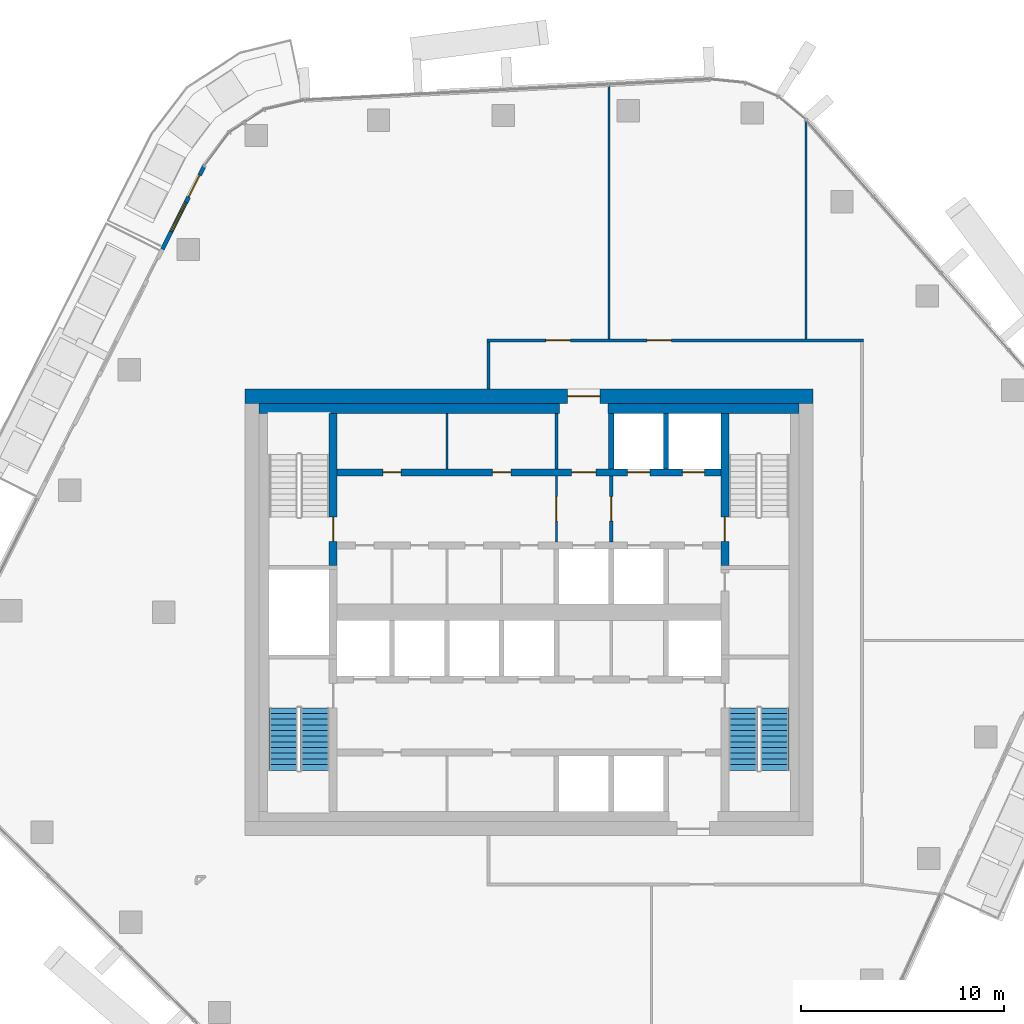
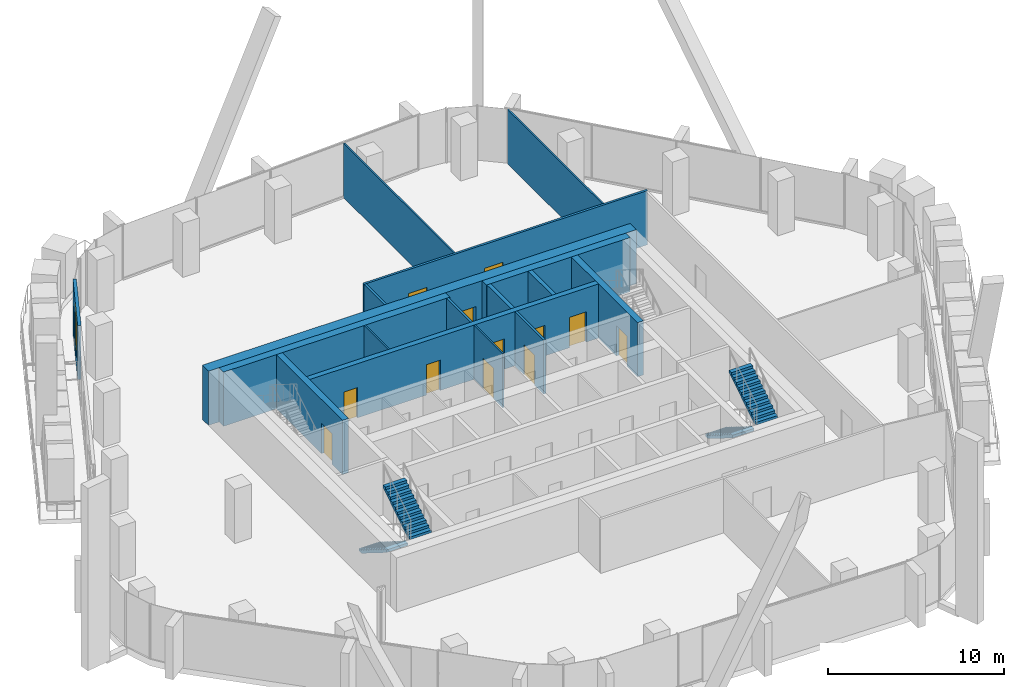
# One storey, part 12 of 20: 17 walls, 13 doors, 4 stair flights, 1 window, 14 openings, 2 elements without a shape of their own.
"""IFC4 building model written with IfcOpenShell, lengths in metres."""

from ifc_helpers import new_model, si_unit, direction, frame, frame_2d, origin, place, context, subcontext, project, spatial, polyline, rectangle, outline, extrude, material, layer, layer_set, type_object, element, fill, aggregate, save


model = new_model("IFC4")

# Units and contexts
model_context = context("Model", 3, precision=1e-05, world=origin(), true_north=direction((0.0, 1.0)))
body_context = subcontext(model_context, "Body", "Model", "MODEL_VIEW")
ifc_project = project(units=[si_unit("LENGTHUNIT", "METRE"), si_unit("AREAUNIT", "SQUARE_METRE"), si_unit("VOLUMEUNIT", "CUBIC_METRE"), si_unit("PLANEANGLEUNIT", "RADIAN"), si_unit("MASSUNIT", "GRAM", prefix="KILO")], contexts=[model_context])

# Site, building, storey
site_placement = place(None, origin())
site = spatial("IfcSite", under=ifc_project, at=site_placement, CompositionType="ELEMENT")
building_placement = place(site_placement, origin())
building = spatial("IfcBuilding", under=site, at=building_placement, Name="Dongbaek Canopy Tower", CompositionType="ELEMENT")
storey_placement = place(building_placement, frame((0.0, 0.0, 228.60009765625)))
storey = spatial("IfcBuildingStorey", under=building, at=storey_placement, Name="L47", CompositionType="ELEMENT", Elevation=228.60009765625)

# Wall, openings, doors
ifc_material_1 = material(Name="Concrete C60/75", Category="concrete")
ifc_layer_1 = layer(ifc_material_1, 0.35009765625)
ifc_layer_set_1 = layer_set([ifc_layer_1], Name="Core lobby wall 350 Concrete C60/75")
wall_type_1 = type_object("IfcWallType", Name="Core lobby wall 350 Concrete C60/75", PredefinedType="SHEAR", material=ifc_layer_set_1)
wall_1_placement = place(storey_placement, frame((-9.449951171875, 6.89990234375, 0.0), z_axis=(0.0, 0.0, 1.0), x_axis=(1.0, 0.0, 0.0)))
wall_1 = element("IfcWall", 1, at=wall_1_placement, inside=storey, type_object=wall_type_1, Name="Core wall", PredefinedType="SHEAR", context=body_context, shape_type="SweptSolid", body=[
    extrude(rectangle(XDim=18.89990234375, YDim=0.35009765625, at=frame_2d((9.449951171875, 0.0))), origin(), (0.0, 0.0, 1.0), 3.75),
])
opening_1_placement = place(wall_1_placement, frame((11.550048828125, 0.0, 0.0)))
opening_1 = element("IfcOpeningElement", 2, at=opening_1_placement, cuts=wall_1, Name="Opening L47-D008", PredefinedType="OPENING", context=body_context, shape_type="SweptSolid", body=[
    extrude(rectangle(XDim=1.199951171875, YDim=2.10009765625, at=frame_2d((0.60009765625, 1.050048828125))), frame((0.0, 0.18505859375, 0.0), z_axis=(0.0, -1.0, 0.0), x_axis=(1.0, 0.0, 0.0)), (0.0, 0.0, 1.0), 0.3701171875),
])
opening_2_placement = place(wall_1_placement, frame((14.300048828125, 0.0, 0.0)))
opening_2 = element("IfcOpeningElement", 3, at=opening_2_placement, cuts=wall_1, Name="Opening L47-D009", PredefinedType="OPENING", context=body_context, shape_type="SweptSolid", body=[
    extrude(rectangle(XDim=1.10009765625, YDim=2.10009765625, at=frame_2d((0.550048828125, 1.050048828125))), frame((0.0, 0.18505859375, 0.0), z_axis=(0.0, -1.0, 0.0), x_axis=(1.0, 0.0, 0.0)), (0.0, 0.0, 1.0), 0.3701171875),
])
opening_3_placement = place(wall_1_placement, frame((17.0, 0.0, 0.0)))
opening_3 = element("IfcOpeningElement", 4, at=opening_3_placement, cuts=wall_1, Name="Opening L47-D010", PredefinedType="OPENING", context=body_context, shape_type="SweptSolid", body=[
    extrude(rectangle(XDim=1.10009765625, YDim=2.10009765625, at=frame_2d((0.550048828125, 1.050048828125))), frame((0.0, 0.18505859375, 0.0), z_axis=(0.0, -1.0, 0.0), x_axis=(1.0, 0.0, 0.0)), (0.0, 0.0, 1.0), 0.3701171875),
])
opening_4_placement = place(wall_1_placement, frame((2.25, 0.0, 0.0)))
opening_4 = element("IfcOpeningElement", 5, at=opening_4_placement, cuts=wall_1, Name="Opening L47-D021", PredefinedType="OPENING", context=body_context, shape_type="SweptSolid", body=[
    extrude(rectangle(XDim=0.89990234375, YDim=2.10009765625, at=frame_2d((0.449951171875, 1.050048828125))), frame((0.0, 0.18505859375, 0.0), z_axis=(0.0, -1.0, 0.0), x_axis=(1.0, 0.0, 0.0)), (0.0, 0.0, 1.0), 0.3701171875),
])
opening_5_placement = place(wall_1_placement, frame((7.64990234375, 0.0, 0.0)))
opening_5 = element("IfcOpeningElement", 6, at=opening_5_placement, cuts=wall_1, Name="Opening L47-D022", PredefinedType="OPENING", context=body_context, shape_type="SweptSolid", body=[
    extrude(rectangle(XDim=0.89990234375, YDim=2.10009765625, at=frame_2d((0.449951171875, 1.050048828125))), frame((0.0, 0.18505859375, 0.0), z_axis=(0.0, -1.0, 0.0), x_axis=(1.0, 0.0, 0.0)), (0.0, 0.0, 1.0), 0.3701171875),
])
ifc_material_2 = material(Name="Steel", Category="steel")
door_type_1 = type_object("IfcDoorType", Name="Core room door 900 x 2100", OperationType="SINGLE_SWING_LEFT", PredefinedType="DOOR", material=ifc_material_2)
door_1_placement = place(opening_4_placement, origin())
door_1 = element("IfcDoor", 7, at=door_1_placement, inside=storey, type_object=door_type_1, Name="Door L47-D021", OperationType="SINGLE_SWING_RIGHT", OverallHeight=2.10009765625, OverallWidth=0.89990234375, PredefinedType="DOOR", context=body_context, shape_type="SweptSolid", body=[
    extrude(rectangle(XDim=0.89990234375, YDim=2.10009765625, at=frame_2d((0.449951171875, 1.050048828125))), frame((0.0, 0.02490234375, 0.0), z_axis=(0.0, -1.0, 0.0), x_axis=(1.0, 0.0, 0.0)), (0.0, 0.0, 1.0), 0.050048828125),
])
fill(opening_4, door_1)
door_2_placement = place(opening_5_placement, origin())
door_2 = element("IfcDoor", 8, at=door_2_placement, inside=storey, type_object=door_type_1, Name="Door L47-D022", OperationType="SINGLE_SWING_LEFT", OverallHeight=2.10009765625, OverallWidth=0.89990234375, PredefinedType="DOOR", context=body_context, shape_type="SweptSolid", body=[
    extrude(rectangle(XDim=0.89990234375, YDim=2.10009765625, at=frame_2d((0.449951171875, 1.050048828125))), frame((0.0, 0.02490234375, 0.0), z_axis=(0.0, -1.0, 0.0), x_axis=(1.0, 0.0, 0.0)), (0.0, 0.0, 1.0), 0.050048828125),
])
fill(opening_5, door_2)
ifc_material_3 = material(Name="Steel", Category="steel")
door_type_2 = type_object("IfcDoorType", Name="Fire lobby door 1200 x 2100", OperationType="SINGLE_SWING_LEFT", PredefinedType="DOOR", material=ifc_material_3)
door_3_placement = place(opening_1_placement, origin())
door_3 = element("IfcDoor", 9, at=door_3_placement, inside=storey, type_object=door_type_2, Name="Door L47-D008", OperationType="SINGLE_SWING_LEFT", OverallHeight=2.10009765625, OverallWidth=1.199951171875, PredefinedType="DOOR", context=body_context, shape_type="SweptSolid", body=[
    extrude(rectangle(XDim=1.199951171875, YDim=2.10009765625, at=frame_2d((0.60009765625, 1.050048828125))), frame((0.0, 0.02490234375, 0.0), z_axis=(0.0, -1.0, 0.0), x_axis=(1.0, 0.0, 0.0)), (0.0, 0.0, 1.0), 0.050048828125),
])
fill(opening_1, door_3)
ifc_material_4 = material(Name="Stainless steel", Category="steel")
door_type_3 = type_object("IfcDoorType", Name="Lift landing door 1100 x 2100", OperationType="DOUBLE_DOOR_SLIDING", PredefinedType="DOOR", material=ifc_material_4)
door_4_placement = place(opening_2_placement, origin())
door_4 = element("IfcDoor", 10, at=door_4_placement, inside=storey, type_object=door_type_3, Name="Landing door FF1", OperationType="DOUBLE_DOOR_SLIDING", OverallHeight=2.10009765625, OverallWidth=1.10009765625, PredefinedType="DOOR", context=body_context, shape_type="SweptSolid", body=[
    extrude(rectangle(XDim=1.10009765625, YDim=2.10009765625, at=frame_2d((0.550048828125, 1.050048828125))), frame((0.0, 0.02490234375, 0.0), z_axis=(0.0, -1.0, 0.0), x_axis=(1.0, 0.0, 0.0)), (0.0, 0.0, 1.0), 0.050048828125),
])
fill(opening_2, door_4)
door_5_placement = place(opening_3_placement, origin())
door_5 = element("IfcDoor", 11, at=door_5_placement, inside=storey, type_object=door_type_3, Name="Landing door FF2", OperationType="DOUBLE_DOOR_SLIDING", OverallHeight=2.10009765625, OverallWidth=1.10009765625, PredefinedType="DOOR", context=body_context, shape_type="SweptSolid", body=[
    extrude(rectangle(XDim=1.10009765625, YDim=2.10009765625, at=frame_2d((0.550048828125, 1.050048828125))), frame((0.0, 0.02490234375, 0.0), z_axis=(0.0, -1.0, 0.0), x_axis=(1.0, 0.0, 0.0)), (0.0, 0.0, 1.0), 0.050048828125),
])
fill(opening_3, door_5)

# Wall, opening, door
ifc_material_5 = material(Name="Concrete C70/85", Category="concrete")
ifc_layer_2 = layer(ifc_material_5, 0.699951171875)
ifc_layer_set_2 = layer_set([ifc_layer_2], Name="Core outer wall 700 Concrete C70/85")
wall_type_2 = type_object("IfcWallType", Name="Core outer wall 700 Concrete C70/85", PredefinedType="SHEAR", material=ifc_layer_set_2)
wall_2_placement = place(storey_placement, frame((-14.0, 10.64990234375, 0.0), z_axis=(0.0, 0.0, 1.0), x_axis=(1.0, 0.0, 0.0)))
wall_2 = element("IfcWall", 12, at=wall_2_placement, inside=storey, type_object=wall_type_2, Name="Core wall", PredefinedType="SHEAR", context=body_context, shape_type="SweptSolid", body=[
    extrude(rectangle(XDim=28.0, YDim=0.699951171875, at=frame_2d((14.0, 0.0))), origin(), (0.0, 0.0, 1.0), 3.75),
])
opening_6_placement = place(wall_2_placement, frame((15.89990234375, 0.0, 0.0)))
opening_6 = element("IfcOpeningElement", 13, at=opening_6_placement, cuts=wall_2, Name="Opening L47-D007", PredefinedType="OPENING", context=body_context, shape_type="SweptSolid", body=[
    extrude(rectangle(XDim=1.60009765625, YDim=2.10009765625, at=frame_2d((0.800048828125, 1.050048828125))), frame((0.0, 0.35986328125, 0.0), z_axis=(0.0, -1.0, 0.0), x_axis=(1.0, 0.0, 0.0)), (0.0, 0.0, 1.0), 0.719970703125),
])
ifc_material_6 = material(Name="Steel", Category="steel")
door_type_4 = type_object("IfcDoorType", Name="Core exit door 1600 x 2100", OperationType="DOUBLE_DOOR_SINGLE_SWING", PredefinedType="DOOR", material=ifc_material_6)
door_6_placement = place(opening_6_placement, origin())
door_6 = element("IfcDoor", 14, at=door_6_placement, inside=storey, type_object=door_type_4, Name="Core exit door", OperationType="DOUBLE_DOOR_SINGLE_SWING", OverallHeight=2.10009765625, OverallWidth=1.60009765625, PredefinedType="DOOR", context=body_context, shape_type="SweptSolid", body=[
    extrude(rectangle(XDim=1.60009765625, YDim=2.10009765625, at=frame_2d((0.800048828125, 1.050048828125))), frame((0.0, 0.02490234375, 0.0), z_axis=(0.0, -1.0, 0.0), x_axis=(1.0, 0.0, 0.0)), (0.0, 0.0, 1.0), 0.050048828125),
])
fill(opening_6, door_6)

# Walls
ifc_material_7 = material(Name="Concrete C60/75", Category="concrete")
ifc_layer_3 = layer(ifc_material_7, 0.5)
ifc_layer_set_3 = layer_set([ifc_layer_3], Name="Core wall lining 500 Concrete C60/75")
wall_type_3 = type_object("IfcWallType", Name="Core wall lining 500 Concrete C60/75", PredefinedType="SHEAR", material=ifc_layer_set_3)
wall_3_placement = place(storey_placement, frame((-13.300048828125, 10.050048828125, 0.0), z_axis=(0.0, 0.0, 1.0), x_axis=(1.0, 0.0, 0.0)))
element("IfcWall", 15, at=wall_3_placement, inside=storey, type_object=wall_type_3, Name="Core wall lining", PredefinedType="SHEAR", context=body_context, shape_type="SweptSolid", body=[
    extrude(rectangle(XDim=14.800048828125, YDim=0.5, at=frame_2d((7.39990234375, 0.0))), origin(), (0.0, 0.0, 1.0), 3.75),
])
wall_4_placement = place(storey_placement, frame((3.89990234375, 10.050048828125, 0.0), z_axis=(0.0, 0.0, 1.0), x_axis=(1.0, 0.0, 0.0)))
element("IfcWall", 16, at=wall_4_placement, inside=storey, type_object=wall_type_3, Name="Core wall lining", PredefinedType="SHEAR", context=body_context, shape_type="SweptSolid", body=[
    extrude(rectangle(XDim=9.400146484375, YDim=0.5, at=frame_2d((4.7001953125, 0.0))), origin(), (0.0, 0.0, 1.0), 3.75),
])

# Wall, openings, doors
ifc_material_8 = material(Name="Gypsum board partition, steel stud, 2 x 15 mm fire board", Category="steel")
ifc_layer_4 = layer(ifc_material_8, 0.14990234375)
ifc_layer_set_4 = layer_set([ifc_layer_4], Name="Fire-rated partition 150 gypsum board")
wall_type_4 = type_object("IfcWallType", Name="Fire-rated partition 150 gypsum board", PredefinedType="PARTITIONING", material=ifc_layer_set_4)
wall_5_placement = place(storey_placement, frame((-2.074951171875, 13.39990234375, 0.0), z_axis=(0.0, 0.0, 1.0), x_axis=(1.0, 0.0, 0.0)))
wall_5 = element("IfcWall", 17, at=wall_5_placement, inside=storey, type_object=wall_type_4, Name="Corridor partition", PredefinedType="PARTITIONING", context=body_context, shape_type="SweptSolid", body=[
    extrude(rectangle(XDim=18.550048828125, YDim=0.14990234375, at=frame_2d((9.27490234375, 0.0))), origin(), (0.0, 0.0, 1.0), 3.75),
])
opening_7_placement = place(wall_5_placement, frame((2.91015625, 0.0, 0.0)))
opening_7 = element("IfcOpeningElement", 18, at=opening_7_placement, cuts=wall_5, Name="Opening L47-D001", PredefinedType="OPENING", context=body_context, shape_type="SweptSolid", body=[
    extrude(rectangle(XDim=1.199951171875, YDim=2.10009765625, at=frame_2d((0.60009765625, 1.050048828125))), frame((0.0, 0.0849609375, 0.0), z_axis=(0.0, -1.0, 0.0), x_axis=(1.0, 0.0, 0.0)), (0.0, 0.0, 1.0), 0.169921875),
])
opening_8_placement = place(wall_5_placement, frame((7.8935546875, 0.0, 0.0)))
opening_8 = element("IfcOpeningElement", 19, at=opening_8_placement, cuts=wall_5, Name="Opening L47-D005", PredefinedType="OPENING", context=body_context, shape_type="SweptSolid", body=[
    extrude(rectangle(XDim=1.199951171875, YDim=2.10009765625, at=frame_2d((0.60009765625, 1.050048828125))), frame((0.0, 0.0849609375, 0.0), z_axis=(0.0, -1.0, 0.0), x_axis=(1.0, 0.0, 0.0)), (0.0, 0.0, 1.0), 0.169921875),
])
ifc_material_9 = material(Name="Timber veneered door leaf", Category="wood")
door_type_5 = type_object("IfcDoorType", Name="Room door 1200 x 2100", OperationType="SINGLE_SWING_LEFT", PredefinedType="DOOR", material=ifc_material_9)
door_7_placement = place(opening_7_placement, origin())
door_7 = element("IfcDoor", 20, at=door_7_placement, inside=storey, type_object=door_type_5, Name="Door L47-D001", OperationType="SINGLE_SWING_RIGHT", OverallHeight=2.10009765625, OverallWidth=1.199951171875, PredefinedType="DOOR", context=body_context, shape_type="SweptSolid", body=[
    extrude(rectangle(XDim=1.199951171875, YDim=2.10009765625, at=frame_2d((0.60009765625, 1.050048828125))), frame((0.0, 0.02490234375, 0.0), z_axis=(0.0, -1.0, 0.0), x_axis=(1.0, 0.0, 0.0)), (0.0, 0.0, 1.0), 0.050048828125),
])
fill(opening_7, door_7)
door_8_placement = place(opening_8_placement, origin())
door_8 = element("IfcDoor", 21, at=door_8_placement, inside=storey, type_object=door_type_5, Name="Door L47-D005", OperationType="SINGLE_SWING_RIGHT", OverallHeight=2.10009765625, OverallWidth=1.199951171875, PredefinedType="DOOR", context=body_context, shape_type="SweptSolid", body=[
    extrude(rectangle(XDim=1.199951171875, YDim=2.10009765625, at=frame_2d((0.60009765625, 1.050048828125))), frame((0.0, 0.02490234375, 0.0), z_axis=(0.0, -1.0, 0.0), x_axis=(1.0, 0.0, 0.0)), (0.0, 0.0, 1.0), 0.050048828125),
])
fill(opening_8, door_8)

# Wall
wall_6_placement = place(storey_placement, frame((-2.0, 11.0, 0.0), z_axis=(0.0, 0.0, 1.0), x_axis=(0.0, 1.0, 0.0)))
element("IfcWall", 22, at=wall_6_placement, inside=storey, type_object=wall_type_4, Name="Corridor partition", PredefinedType="PARTITIONING", context=body_context, shape_type="SweptSolid", body=[
    extrude(rectangle(XDim=2.324951171875, YDim=0.14990234375, at=frame_2d((1.16259765625, 0.0))), origin(), (0.0, 0.0, 1.0), 3.75),
])

# Wall, opening, door
wall_7_placement = place(storey_placement, frame((4.050048828125, 6.72509765625, 0.0), z_axis=(0.0, 0.0, 1.0), x_axis=(0.0, -1.0, 0.0)))
wall_7 = element("IfcWall", 23, at=wall_7_placement, inside=storey, type_object=wall_type_4, Name="Fire lobby partition", PredefinedType="PARTITIONING", context=body_context, shape_type="SweptSolid", body=[
    extrude(rectangle(XDim=3.25, YDim=0.14990234375, at=frame_2d((1.625, 0.0))), origin(), (0.0, 0.0, 1.0), 3.75),
])
opening_9_placement = place(wall_7_placement, frame((1.02490234375, 0.0, 0.0)))
opening_9 = element("IfcOpeningElement", 24, at=opening_9_placement, cuts=wall_7, Name="Opening L47-D036", PredefinedType="OPENING", context=body_context, shape_type="SweptSolid", body=[
    extrude(rectangle(XDim=1.199951171875, YDim=2.10009765625, at=frame_2d((0.60009765625, 1.050048828125))), frame((0.0, 0.0849609375, 0.0), z_axis=(0.0, -1.0, 0.0), x_axis=(1.0, 0.0, 0.0)), (0.0, 0.0, 1.0), 0.169921875),
])
door_9_placement = place(opening_9_placement, origin())
door_9 = element("IfcDoor", 25, at=door_9_placement, inside=storey, type_object=door_type_2, Name="Door L47-D036", OperationType="SINGLE_SWING_RIGHT", OverallHeight=2.10009765625, OverallWidth=1.199951171875, PredefinedType="DOOR", context=body_context, shape_type="SweptSolid", body=[
    extrude(rectangle(XDim=1.199951171875, YDim=2.10009765625, at=frame_2d((0.60009765625, 1.050048828125))), frame((0.0, 0.02490234375, 0.0), z_axis=(0.0, -1.0, 0.0), x_axis=(1.0, 0.0, 0.0)), (0.0, 0.0, 1.0), 0.050048828125),
])
fill(opening_9, door_9)

# Walls
wall_8_placement = place(storey_placement, frame((1.35009765625, 7.074951171875, 0.0), z_axis=(0.0, 0.0, 1.0), x_axis=(0.0, 1.0, 0.0)))
element("IfcWall", 26, at=wall_8_placement, inside=storey, type_object=wall_type_4, Name="Fire lobby partition", PredefinedType="PARTITIONING", context=body_context, shape_type="SweptSolid", body=[
    extrude(rectangle(XDim=2.72509765625, YDim=0.14990234375, at=frame_2d((1.362548828125, 0.0))), origin(), (0.0, 0.0, 1.0), 3.75),
])
ifc_material_10 = material(Name="Concrete C40/50", Category="concrete")
ifc_layer_5 = layer(ifc_material_10, 0.25)
ifc_layer_set_5 = layer_set([ifc_layer_5], Name="Lift shaft wall 250 Concrete C40/50")
wall_type_5 = type_object("IfcWallType", Name="Lift shaft wall 250 Concrete C40/50", PredefinedType="SOLIDWALL", material=ifc_layer_set_5)
for number, where, z_axis, x_axis, name in (
    (27, (6.75, 7.074951171875, 0.0), (0.0, 0.0, 1.0), (0.0, 1.0, 0.0), "Lift shaft wall"),
    (28, (4.050048828125, 7.074951171875, 0.0), (0.0, 0.0, 1.0), (0.0, 1.0, 0.0), "Lift shaft wall"),
):
    element("IfcWall", number, at=place(storey_placement, frame(where, z_axis=z_axis, x_axis=x_axis)), inside=storey, type_object=wall_type_5, Name=name, PredefinedType="SOLIDWALL", context=body_context, shape_type="SweptSolid", body=[
        extrude(rectangle(XDim=2.72509765625, YDim=0.25, at=frame_2d((1.362548828125, 0.0))), origin(), (0.0, 0.0, 1.0), 3.75),
    ])
ifc_material_11 = material(Name="Gypsum board partition, steel stud, 2 x 12.5 mm board", Category="steel")
ifc_layer_6 = layer(ifc_material_11, 0.10009765625)
ifc_layer_set_6 = layer_set([ifc_layer_6], Name="Partition 100 gypsum board")
wall_type_6 = type_object("IfcWallType", Name="Partition 100 gypsum board", PredefinedType="PARTITIONING", material=ifc_layer_set_6)
wall_9_placement = place(storey_placement, frame((13.64697265625, 13.47509765625, 0.0), z_axis=(0.0, 0.0, 1.0), x_axis=(0.0, 1.0, 0.0)))
element("IfcWall", 29, at=wall_9_placement, inside=storey, type_object=wall_type_6, Name="Partition", PredefinedType="PARTITIONING", context=body_context, shape_type="SweptSolid", body=[
    extrude(rectangle(XDim=10.759521484375, YDim=0.10009765625, at=frame_2d((5.3798828125, 0.0))), origin(), (0.0, 0.0, 1.0), 3.75),
])
wall_10_placement = place(storey_placement, frame((3.928955078125, 13.47509765625, 0.0), z_axis=(0.0, 0.0, 1.0), x_axis=(0.0, 1.0, 0.0)))
element("IfcWall", 30, at=wall_10_placement, inside=storey, type_object=wall_type_6, Name="Partition", PredefinedType="PARTITIONING", context=body_context, shape_type="SweptSolid", body=[
    extrude(rectangle(XDim=12.50830078125, YDim=0.10009765625, at=frame_2d((6.254150390625, 0.0))), origin(), (0.0, 0.0, 1.0), 3.75),
])

# Wall, opening, door
wall_11_placement = place(storey_placement, frame((1.35009765625, 6.72509765625, 0.0), z_axis=(0.0, 0.0, 1.0), x_axis=(0.0, -1.0, 0.0)))
wall_11 = element("IfcWall", 31, at=wall_11_placement, inside=storey, type_object=wall_type_6, Name="Core partition", PredefinedType="PARTITIONING", context=body_context, shape_type="SweptSolid", body=[
    extrude(rectangle(XDim=3.25, YDim=0.10009765625, at=frame_2d((1.625, 0.0))), origin(), (0.0, 0.0, 1.0), 3.75),
])
opening_10_placement = place(wall_11_placement, frame((1.02490234375, 0.0, 0.0)))
opening_10 = element("IfcOpeningElement", 32, at=opening_10_placement, cuts=wall_11, Name="Opening L47-D035", PredefinedType="OPENING", context=body_context, shape_type="SweptSolid", body=[
    extrude(rectangle(XDim=1.199951171875, YDim=2.10009765625, at=frame_2d((0.60009765625, 1.050048828125))), frame((0.0, 0.06005859375, 0.0), z_axis=(0.0, -1.0, 0.0), x_axis=(1.0, 0.0, 0.0)), (0.0, 0.0, 1.0), 0.1201171875),
])
door_10_placement = place(opening_10_placement, origin())
door_10 = element("IfcDoor", 33, at=door_10_placement, inside=storey, type_object=door_type_2, Name="Door L47-D035", OperationType="SINGLE_SWING_LEFT", OverallHeight=2.10009765625, OverallWidth=1.199951171875, PredefinedType="DOOR", context=body_context, shape_type="SweptSolid", body=[
    extrude(rectangle(XDim=1.199951171875, YDim=2.10009765625, at=frame_2d((0.60009765625, 1.050048828125))), frame((0.0, 0.02490234375, 0.0), z_axis=(0.0, -1.0, 0.0), x_axis=(1.0, 0.0, 0.0)), (0.0, 0.0, 1.0), 0.050048828125),
])
fill(opening_10, door_10)

# Wall
wall_12_placement = place(storey_placement, frame((-4.050048828125, 7.074951171875, 0.0), z_axis=(0.0, 0.0, 1.0), x_axis=(0.0, 1.0, 0.0)))
element("IfcWall", 34, at=wall_12_placement, inside=storey, type_object=wall_type_6, Name="Core partition", PredefinedType="PARTITIONING", context=body_context, shape_type="SweptSolid", body=[
    extrude(rectangle(XDim=2.72509765625, YDim=0.10009765625, at=frame_2d((1.362548828125, 0.0))), origin(), (0.0, 0.0, 1.0), 3.75),
])

# Wall, opening, door
ifc_material_12 = material(Name="Concrete C60/75", Category="concrete")
ifc_layer_7 = layer(ifc_material_12, 0.39990234375)
ifc_layer_set_7 = layer_set([ifc_layer_7], Name="Stair wall 400 Concrete C60/75")
wall_type_7 = type_object("IfcWallType", Name="Stair wall 400 Concrete C60/75", PredefinedType="SHEAR", material=ifc_layer_set_7)
wall_13_placement = place(storey_placement, frame((9.64990234375, 9.800048828125, 0.0), z_axis=(0.0, 0.0, 1.0), x_axis=(0.0, -1.0, 0.0)))
wall_13 = element("IfcWall", 35, at=wall_13_placement, inside=storey, type_object=wall_type_7, Name="Stair wall", PredefinedType="SHEAR", context=body_context, shape_type="SweptSolid", body=[
    extrude(rectangle(XDim=7.5, YDim=0.39990234375, at=frame_2d((3.75, 0.0))), origin(), (0.0, 0.0, 1.0), 3.75),
])
opening_11_placement = place(wall_13_placement, frame((5.10009765625, 0.0, 0.0)))
opening_11 = element("IfcOpeningElement", 36, at=opening_11_placement, cuts=wall_13, Name="Opening L47-D031", PredefinedType="OPENING", context=body_context, shape_type="SweptSolid", body=[
    extrude(rectangle(XDim=1.199951171875, YDim=2.10009765625, at=frame_2d((0.60009765625, 1.050048828125))), frame((0.0, 0.2099609375, 0.0), z_axis=(0.0, -1.0, 0.0), x_axis=(1.0, 0.0, 0.0)), (0.0, 0.0, 1.0), 0.419921875),
])
ifc_material_13 = material(Name="Steel", Category="steel")
door_type_6 = type_object("IfcDoorType", Name="Stair door 1200 x 2100", OperationType="SINGLE_SWING_LEFT", PredefinedType="DOOR", material=ifc_material_13)
door_11_placement = place(opening_11_placement, origin())
door_11 = element("IfcDoor", 37, at=door_11_placement, inside=storey, type_object=door_type_6, Name="Stair A door", OperationType="SINGLE_SWING_LEFT", OverallHeight=2.10009765625, OverallWidth=1.199951171875, PredefinedType="DOOR", context=body_context, shape_type="SweptSolid", body=[
    extrude(rectangle(XDim=1.199951171875, YDim=2.10009765625, at=frame_2d((0.60009765625, 1.050048828125))), frame((0.0, 0.02490234375, 0.0), z_axis=(0.0, -1.0, 0.0), x_axis=(1.0, 0.0, 0.0)), (0.0, 0.0, 1.0), 0.050048828125),
])
fill(opening_11, door_11)

wall_14_placement = place(storey_placement, frame((-9.64990234375, 2.300048828125, 0.0), z_axis=(0.0, 0.0, 1.0), x_axis=(0.0, 1.0, 0.0)))
wall_14 = element("IfcWall", 38, at=wall_14_placement, inside=storey, type_object=wall_type_7, Name="Stair wall", PredefinedType="SHEAR", context=body_context, shape_type="SweptSolid", body=[
    extrude(rectangle(XDim=7.5, YDim=0.39990234375, at=frame_2d((3.75, 0.0))), origin(), (0.0, 0.0, 1.0), 3.75),
])
opening_12_placement = place(wall_14_placement, frame((1.199951171875, 0.0, 0.0)))
opening_12 = element("IfcOpeningElement", 39, at=opening_12_placement, cuts=wall_14, Name="Opening L47-D032", PredefinedType="OPENING", context=body_context, shape_type="SweptSolid", body=[
    extrude(rectangle(XDim=1.199951171875, YDim=2.10009765625, at=frame_2d((0.60009765625, 1.050048828125))), frame((0.0, 0.2099609375, 0.0), z_axis=(0.0, -1.0, 0.0), x_axis=(1.0, 0.0, 0.0)), (0.0, 0.0, 1.0), 0.419921875),
])
door_12_placement = place(opening_12_placement, origin())
door_12 = element("IfcDoor", 40, at=door_12_placement, inside=storey, type_object=door_type_6, Name="Stair C door", OperationType="SINGLE_SWING_RIGHT", OverallHeight=2.10009765625, OverallWidth=1.199951171875, PredefinedType="DOOR", context=body_context, shape_type="SweptSolid", body=[
    extrude(rectangle(XDim=1.199951171875, YDim=2.10009765625, at=frame_2d((0.60009765625, 1.050048828125))), frame((0.0, 0.02490234375, 0.0), z_axis=(0.0, -1.0, 0.0), x_axis=(1.0, 0.0, 0.0)), (0.0, 0.0, 1.0), 0.050048828125),
])
fill(opening_12, door_12)

# Wall, openings, door, window
ifc_material_14 = material(Name="Aluminium window wall", Category="aluminium")
ifc_layer_8 = layer(ifc_material_14, 0.199951171875)
ifc_layer_set_8 = layer_set([ifc_layer_8], Name="Window wall 200")
wall_type_8 = type_object("IfcWallType", Name="Window wall 200", PredefinedType="SOLIDWALL", material=ifc_layer_set_8)
wall_15_placement = place(storey_placement, frame((-16.007080078125, 21.9853515625, 0.0), z_axis=(0.0, 0.0, 1.0), x_axis=(-0.448875324163, -0.893594395325, 0.0)))
wall_15 = element("IfcWall", 41, at=wall_15_placement, inside=storey, type_object=wall_type_8, Name="Window wall L47 4", PredefinedType="SOLIDWALL", context=body_context, shape_type="SweptSolid", body=[
    extrude(rectangle(XDim=4.581787109375, YDim=0.199951171875, at=frame_2d((2.291015625, 0.0))), origin(), (0.0, 0.0, 1.0), 3.75),
])
opening_13_placement = place(wall_15_placement, frame((2.0, 0.0, 0.60009765625)))
opening_13 = element("IfcOpeningElement", 42, at=opening_13_placement, cuts=wall_15, Name="Opening W1", PredefinedType="OPENING", context=body_context, shape_type="SweptSolid", body=[
    extrude(rectangle(XDim=1.60009765625, YDim=2.39990234375, at=frame_2d((0.800048828125, 1.199951171875))), frame((0.0, 0.10986328125, 0.0), z_axis=(0.0, -1.0, 0.0), x_axis=(1.0, 0.0, 0.0)), (0.0, 0.0, 1.0), 0.219970703125),
])
opening_14_placement = place(wall_15_placement, frame((0.5, 0.0, 0.0)))
opening_14 = element("IfcOpeningElement", 43, at=opening_14_placement, cuts=wall_15, Name="Opening L47-B04", PredefinedType="OPENING", context=body_context, shape_type="SweptSolid", body=[
    extrude(rectangle(XDim=1.199951171875, YDim=2.39990234375, at=frame_2d((0.60009765625, 1.199951171875))), frame((0.0, 0.10986328125, 0.0), z_axis=(0.0, -1.0, 0.0), x_axis=(1.0, 0.0, 0.0)), (0.0, 0.0, 1.0), 0.219970703125),
])
ifc_material_15 = material(Name="Clear glazing in aluminium frame", Category="aluminium")
door_type_7 = type_object("IfcDoorType", Name="Balcony door BD1 1200 x 2400", OperationType="SLIDING_TO_LEFT", PredefinedType="DOOR", material=ifc_material_15)
door_13_placement = place(opening_14_placement, origin())
door_13 = element("IfcDoor", 44, at=door_13_placement, inside=storey, type_object=door_type_7, Name="Balcony door L47-B04", OperationType="SLIDING_TO_LEFT", OverallHeight=2.39990234375, OverallWidth=1.199951171875, PredefinedType="DOOR", context=body_context, shape_type="SweptSolid", body=[
    extrude(rectangle(XDim=1.199951171875, YDim=2.39990234375, at=frame_2d((0.60009765625, 1.199951171875))), frame((0.0, 0.02490234375, 0.0), z_axis=(0.0, -1.0, 0.0), x_axis=(1.0, 0.0, 0.0)), (0.0, 0.0, 1.0), 0.050048828125),
])
fill(opening_14, door_13)
ifc_material_16 = material(Name="Clear glazing in aluminium frame", Category="aluminium")
window_type = type_object("IfcWindowType", Name="Window W1 1600 x 2400", PartitioningType="SINGLE_PANEL", PredefinedType="WINDOW", material=ifc_material_16)
window_placement = place(opening_13_placement, origin())
window = element("IfcWindow", 45, at=window_placement, inside=storey, type_object=window_type, Name="Window L47 4.1", OverallHeight=2.39990234375, OverallWidth=1.60009765625, PartitioningType="SINGLE_PANEL", PredefinedType="WINDOW", context=body_context, shape_type="SweptSolid", body=[
    extrude(rectangle(XDim=1.60009765625, YDim=2.39990234375, at=frame_2d((0.800048828125, 1.199951171875))), frame((0.0, 0.030029296875, 0.0), z_axis=(0.0, -1.0, 0.0), x_axis=(1.0, 0.0, 0.0)), (0.0, 0.0, 1.0), 0.06005859375),
])
fill(opening_13, window)

# Stair, stair flights
ifc_material_17 = material(Name="Concrete C40/50", Category="concrete")
stair_type = type_object("IfcStairType", Name="Core exit stair", PredefinedType="HALF_TURN_STAIR", material=ifc_material_17)
stair_1_placement = place(storey_placement, origin())
stair_1 = element("IfcStair", 46, at=stair_1_placement, inside=storey, type_object=stair_type, Name="L47 exit stair B", PredefinedType="HALF_TURN_STAIR")
ifc_material_18 = material(Name="Concrete C40/50", Category="concrete")
ifc_layer_9 = layer(ifc_material_18, 0.14990234375)
ifc_layer_set_9 = layer_set([ifc_layer_9], Name="Core stair flight 150 waist")
stair_flight_type = type_object("IfcStairFlightType", Name="Core stair flight 150 waist", PredefinedType="STRAIGHT", material=ifc_layer_set_9)
stair_flight_1_placement = place(storey_placement, frame((10.550048828125, -4.699951171875, 0.0), z_axis=(0.0, 0.0, 1.0), x_axis=(0.0, -1.0, 0.0)))
stair_flight_1 = element("IfcStairFlight", 47, at=stair_flight_1_placement, type_object=stair_flight_type, Name="ST-B flight 1", NumberOfRisers=12, NumberOfTreads=11, PredefinedType="STRAIGHT", RiserHeight=0.175, TreadLength=0.28, context=body_context, shape_type="SweptSolid", body=[
    extrude(outline(polyline([(0.0, 0.0), (0.0, 0.175048828125), (0.280029296875, 0.175048828125), (0.280029296875, 0.35009765625), (0.56005859375, 0.35009765625), (0.56005859375, 0.52490234375), (0.840087890625, 0.52490234375), (0.840087890625, 0.699951171875), (1.1201171875, 0.699951171875), (1.1201171875, 0.875), (1.39990234375, 0.875), (1.39990234375, 1.050048828125), (1.679931640625, 1.050048828125), (1.679931640625, 1.22509765625), (1.9599609375, 1.22509765625), (1.9599609375, 1.39990234375), (2.239990234375, 1.39990234375), (2.239990234375, 1.574951171875), (2.52001953125, 1.574951171875), (2.52001953125, 1.75), (2.800048828125, 1.75), (2.800048828125, 1.925048828125), (3.080078125, 1.925048828125), (3.080078125, 2.10009765625), (3.080078125, 1.748291015625), (0.28271484375, 0.0), (0.0, 0.0)])), frame((0.0, 0.699951171875, 0.0), z_axis=(0.0, -1.0, 0.0), x_axis=(1.0, 0.0, 0.0)), (0.0, 0.0, 1.0), 1.39990234375),
])
stair_flight_2_placement = place(storey_placement, frame((12.10009765625, -7.780029296875, 2.099853515625), z_axis=(0.0, 0.0, 1.0), x_axis=(0.0, 1.0, 0.0)))
stair_flight_2 = element("IfcStairFlight", 48, at=stair_flight_2_placement, type_object=stair_flight_type, Name="ST-B flight 2", NumberOfRisers=12, NumberOfTreads=11, PredefinedType="STRAIGHT", RiserHeight=0.175, TreadLength=0.28, context=body_context, shape_type="SweptSolid", body=[
    extrude(outline(polyline([(0.0, 0.0), (0.0, 0.175048828125), (0.280029296875, 0.175048828125), (0.280029296875, 0.35009765625), (0.56005859375, 0.35009765625), (0.56005859375, 0.52490234375), (0.840087890625, 0.52490234375), (0.840087890625, 0.699951171875), (1.1201171875, 0.699951171875), (1.1201171875, 0.875), (1.39990234375, 0.875), (1.39990234375, 1.050048828125), (1.679931640625, 1.050048828125), (1.679931640625, 1.22509765625), (1.9599609375, 1.22509765625), (1.9599609375, 1.39990234375), (2.239990234375, 1.39990234375), (2.239990234375, 1.574951171875), (2.52001953125, 1.574951171875), (2.52001953125, 1.75), (2.800048828125, 1.75), (2.800048828125, 1.925048828125), (3.080078125, 1.925048828125), (3.080078125, 2.10009765625), (3.080078125, 1.748291015625), (0.28271484375, 0.0), (0.0, 0.0)])), frame((0.0, 0.699951171875, 0.0), z_axis=(0.0, -1.0, 0.0), x_axis=(1.0, 0.0, 0.0)), (0.0, 0.0, 1.0), 1.39990234375),
])
aggregate(stair_1, [stair_flight_1, stair_flight_2])

stair_2_placement = place(storey_placement, origin())
stair_2 = element("IfcStair", 49, at=stair_2_placement, inside=storey, type_object=stair_type, Name="L47 exit stair D", PredefinedType="HALF_TURN_STAIR")
stair_flight_3_placement = place(storey_placement, frame((-12.10009765625, -4.699951171875, 0.0), z_axis=(0.0, 0.0, 1.0), x_axis=(0.0, -1.0, 0.0)))
stair_flight_3 = element("IfcStairFlight", 50, at=stair_flight_3_placement, type_object=stair_flight_type, Name="ST-D flight 1", NumberOfRisers=12, NumberOfTreads=11, PredefinedType="STRAIGHT", RiserHeight=0.175, TreadLength=0.28, context=body_context, shape_type="SweptSolid", body=[
    extrude(outline(polyline([(0.0, 0.0), (0.0, 0.175048828125), (0.280029296875, 0.175048828125), (0.280029296875, 0.35009765625), (0.56005859375, 0.35009765625), (0.56005859375, 0.52490234375), (0.840087890625, 0.52490234375), (0.840087890625, 0.699951171875), (1.1201171875, 0.699951171875), (1.1201171875, 0.875), (1.39990234375, 0.875), (1.39990234375, 1.050048828125), (1.679931640625, 1.050048828125), (1.679931640625, 1.22509765625), (1.9599609375, 1.22509765625), (1.9599609375, 1.39990234375), (2.239990234375, 1.39990234375), (2.239990234375, 1.574951171875), (2.52001953125, 1.574951171875), (2.52001953125, 1.75), (2.800048828125, 1.75), (2.800048828125, 1.925048828125), (3.080078125, 1.925048828125), (3.080078125, 2.10009765625), (3.080078125, 1.748291015625), (0.28271484375, 0.0), (0.0, 0.0)])), frame((0.0, 0.699951171875, 0.0), z_axis=(0.0, -1.0, 0.0), x_axis=(1.0, 0.0, 0.0)), (0.0, 0.0, 1.0), 1.39990234375),
])
stair_flight_4_placement = place(storey_placement, frame((-10.550048828125, -7.780029296875, 2.099853515625), z_axis=(0.0, 0.0, 1.0), x_axis=(0.0, 1.0, 0.0)))
stair_flight_4 = element("IfcStairFlight", 51, at=stair_flight_4_placement, type_object=stair_flight_type, Name="ST-D flight 2", NumberOfRisers=12, NumberOfTreads=11, PredefinedType="STRAIGHT", RiserHeight=0.175, TreadLength=0.28, context=body_context, shape_type="SweptSolid", body=[
    extrude(outline(polyline([(0.0, 0.0), (0.0, 0.175048828125), (0.280029296875, 0.175048828125), (0.280029296875, 0.35009765625), (0.56005859375, 0.35009765625), (0.56005859375, 0.52490234375), (0.840087890625, 0.52490234375), (0.840087890625, 0.699951171875), (1.1201171875, 0.699951171875), (1.1201171875, 0.875), (1.39990234375, 0.875), (1.39990234375, 1.050048828125), (1.679931640625, 1.050048828125), (1.679931640625, 1.22509765625), (1.9599609375, 1.22509765625), (1.9599609375, 1.39990234375), (2.239990234375, 1.39990234375), (2.239990234375, 1.574951171875), (2.52001953125, 1.574951171875), (2.52001953125, 1.75), (2.800048828125, 1.75), (2.800048828125, 1.925048828125), (3.080078125, 1.925048828125), (3.080078125, 2.10009765625), (3.080078125, 1.748291015625), (0.28271484375, 0.0), (0.0, 0.0)])), frame((0.0, 0.699951171875, 0.0), z_axis=(0.0, -1.0, 0.0), x_axis=(1.0, 0.0, 0.0)), (0.0, 0.0, 1.0), 1.39990234375),
])
aggregate(stair_2, [stair_flight_3, stair_flight_4])

save(model, "model.ifc")
